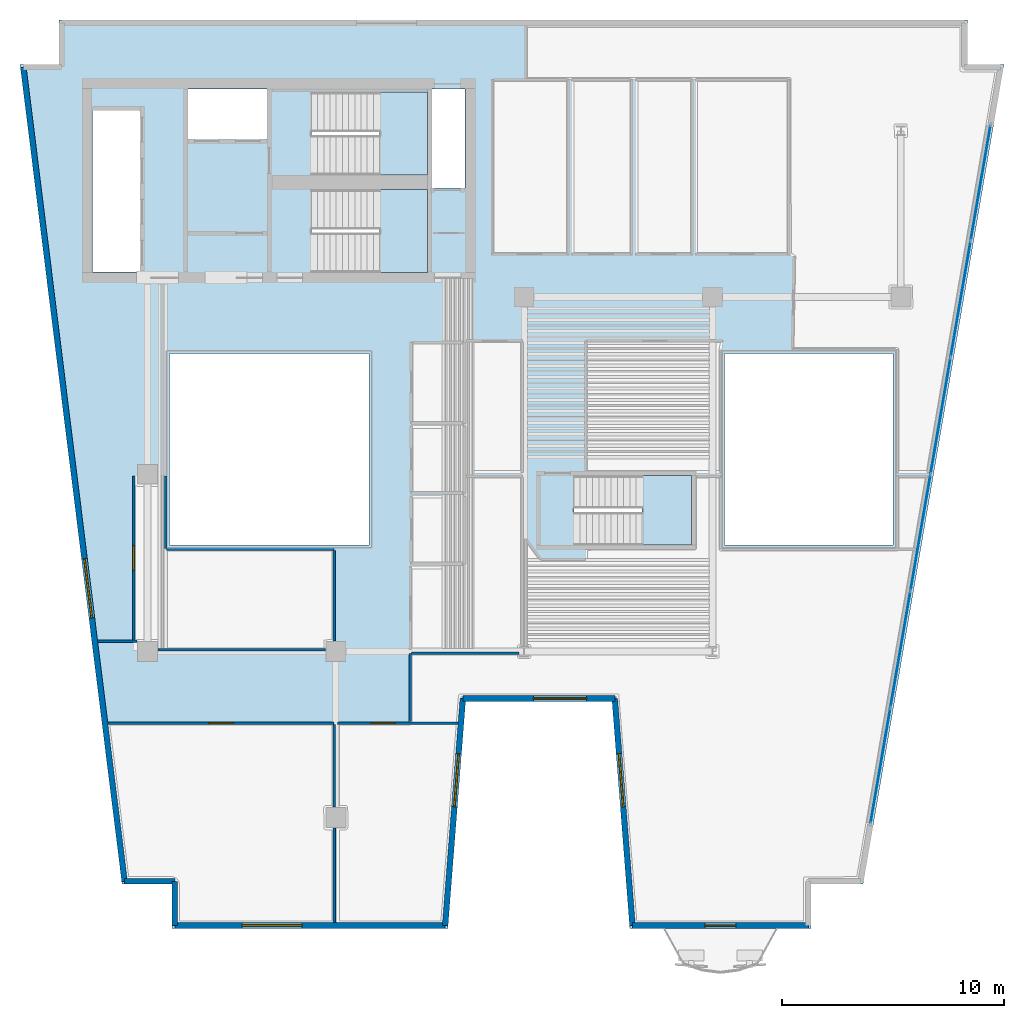
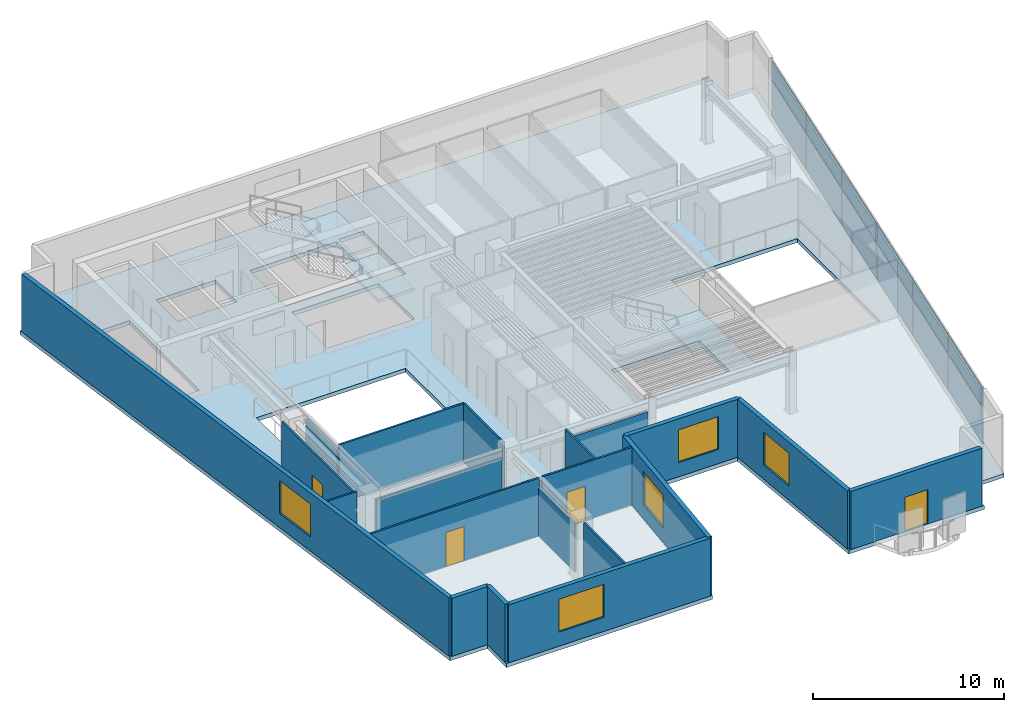
# One storey, part 3 of 10: 20 walls, 12 plates, 5 windows, 4 doors, 4 slabs, 9 openings, 4 elements without a shape of their own.
"""IFC4 building model written with IfcOpenShell, lengths in metres."""

import ifcopenshell
import ifcopenshell.guid

model = None  # the IFC model being written
_history = None  # IfcOwnerHistory: only IFC2X3 demands one
_inside = {}  # id of a spatial element -> (the spatial element, [elements in it])
_under = {}  # id of a project, library or spatial element -> (it, [spatial elements below it])
_declared = {}  # id of a project -> (the project, [libraries it declares])
_typed = {}  # id of a type object -> (the type object, [elements of that type])
_made_of = {}  # id of a material, layer set ... -> (it, [elements and type objects made of it])


def new_model(schema):
    """Start an empty IFC model of exactly this schema.

    Asked for "IFC4X3", IfcOpenShell would pick the latest addendum, in which some entities
    have other attributes; the version numbers below select the first issue.
    IFC2X3 requires an IfcOwnerHistory on every rooted entity: one is made here for all.
    """
    global model, _history
    if schema == "IFC4X3":
        model = ifcopenshell.file(schema_version=(4, 3, 0, 0))
    else:
        model = ifcopenshell.file(schema=schema)
    _inside.clear()
    _under.clear()
    _declared.clear()
    _typed.clear()
    _made_of.clear()
    _history = None
    if model.schema == "IFC2X3":
        org = make("IfcOrganization", Name="unknown")
        user = make(
            "IfcPersonAndOrganization",
            ThePerson=make("IfcPerson", FamilyName="unknown"),
            TheOrganization=org,
        )
        app = make(
            "IfcApplication",
            ApplicationDeveloper=org,
            Version="unknown",
            ApplicationFullName="unknown",
            ApplicationIdentifier="unknown",
        )
        _history = make(
            "IfcOwnerHistory",
            OwningUser=user,
            OwningApplication=app,
            ChangeAction="ADDED",
            CreationDate=0,
        )
    return model


def make(cls, **values):
    """One entity of the class cls with the attributes given. An attribute that is None is left unset."""
    return model.create_entity(
        cls, **{name: value for name, value in values.items() if value is not None}
    )


def rooted(cls, **values):
    """An entity with a GlobalId (a new one), such as an element, a storey or a relation."""
    return make(cls, GlobalId=ifcopenshell.guid.new(), OwnerHistory=_history, **values)


def si_unit(unit_type, name, prefix=None):
    """IfcSIUnit, for example si_unit("LENGTHUNIT", "METRE", prefix="MILLI")."""
    return make("IfcSIUnit", UnitType=unit_type, Prefix=prefix, Name=name)


def assignment(units):
    """IfcUnitAssignment: the units of a project."""
    return None if units is None else make("IfcUnitAssignment", Units=units)


def point(xyz):
    """IfcCartesianPoint."""
    return None if xyz is None else make("IfcCartesianPoint", Coordinates=xyz)


def direction(xyz):
    """IfcDirection."""
    return None if xyz is None else make("IfcDirection", DirectionRatios=xyz)


def frame(location, z_axis=None, x_axis=None):
    """IfcAxis2Placement3D, a coordinate frame: its origin and axes. An axis left out is left unset."""
    return make(
        "IfcAxis2Placement3D",
        Location=point(location),
        Axis=direction(z_axis),
        RefDirection=direction(x_axis),
    )


def frame_2d(location, x_axis=None):
    """IfcAxis2Placement2D, a coordinate frame in the plane: its origin and x axis."""
    return make(
        "IfcAxis2Placement2D", Location=point(location), RefDirection=direction(x_axis)
    )


def origin():
    """The frame at (0, 0, 0) with its axes left unset."""
    return frame((0.0, 0.0, 0.0))


def origin_2d():
    """The frame at (0, 0) in the plane with its x axis left unset."""
    return frame_2d((0.0, 0.0))


def place(relative_to, where):
    """IfcLocalPlacement: puts the frame where relative to a parent placement (None: the world)."""
    return make(
        "IfcLocalPlacement", PlacementRelTo=relative_to, RelativePlacement=where
    )


def context(
    kind, dimensions, precision=None, world=None, true_north=None, identifier=None
):
    """IfcGeometricRepresentationContext, for example the 3D "Model" context."""
    return make(
        "IfcGeometricRepresentationContext",
        ContextIdentifier=identifier,
        ContextType=kind,
        CoordinateSpaceDimension=dimensions,
        Precision=precision,
        WorldCoordinateSystem=world,
        TrueNorth=true_north,
    )


def subcontext(parent, identifier, kind, view, scale=None):
    """IfcGeometricRepresentationSubContext, for example "Body" below "Model"."""
    return make(
        "IfcGeometricRepresentationSubContext",
        ContextIdentifier=identifier,
        ContextType=kind,
        ParentContext=parent,
        TargetScale=scale,
        TargetView=view,
    )


def project(units=None, contexts=None):
    """IfcProject with its units and contexts."""
    return rooted(
        "IfcProject",
        Name="project",
        RepresentationContexts=contexts,
        UnitsInContext=assignment(units),
    )


def spatial(cls, under=None, at=None, **own):
    """A site, building, storey or space (cls), placed at a placement, below another one or the project."""
    s = rooted(cls, ObjectPlacement=at, **own)
    if under is not None:
        _under.setdefault(under.id(), (under, []))[1].append(s)
    return s


def polyline(points):
    """IfcPolyline through the points."""
    return make("IfcPolyline", Points=[point(p) for p in points])


def profile(cls, at=None, kind="AREA", **sizes):
    """A parametric profile (cls). Its sizes go by their IFC names, for example OverallWidth=200.0."""
    return make(cls, ProfileType=kind, Position=at, **sizes)


def rectangle(**sizes):
    """IfcRectangleProfileDef."""
    return profile("IfcRectangleProfileDef", **sizes)


def outline(outer, holes=None, kind="AREA"):
    """IfcArbitraryClosedProfileDef: a profile drawn as a closed curve; with holes, ...WithVoids."""
    if holes is None:
        return make("IfcArbitraryClosedProfileDef", ProfileType=kind, OuterCurve=outer)
    return make(
        "IfcArbitraryProfileDefWithVoids",
        ProfileType=kind,
        OuterCurve=outer,
        InnerCurves=holes,
    )


def extrude(swept, where, along, depth):
    """IfcExtrudedAreaSolid: the profile swept, set in the frame where, extruded along a direction by depth."""
    return make(
        "IfcExtrudedAreaSolid",
        SweptArea=swept,
        Position=where,
        ExtrudedDirection=direction(along),
        Depth=depth,
    )


def shape(context_of_items, identifier, shape_type, items):
    """IfcShapeRepresentation: the items that make up one representation, for example the "Body"."""
    return make(
        "IfcShapeRepresentation",
        ContextOfItems=context_of_items,
        RepresentationIdentifier=identifier,
        RepresentationType=shape_type,
        Items=items,
    )


def material(Name=None, Category=None):
    """IfcMaterial."""
    return make("IfcMaterial", Name=Name, Category=Category)


def layer(
    of_material, thickness, ventilated=None, Name=None, Category=None, Priority=None
):
    """IfcMaterialLayer: one layer of a wall or slab, of a material (None: an air gap)."""
    return make(
        "IfcMaterialLayer",
        Material=of_material,
        LayerThickness=thickness,
        IsVentilated=ventilated,
        Name=Name,
        Category=Category,
        Priority=Priority,
    )


def layer_set(layers, Name=None):
    """IfcMaterialLayerSet."""
    return make("IfcMaterialLayerSet", MaterialLayers=layers, LayerSetName=Name)


def made_of(thing, what):
    """Note that an element or type object is made of a material, layer set ...; save() writes the relation."""
    if what is not None:
        _made_of.setdefault(what.id(), (what, []))[1].append(thing)
    return thing


def type_object(cls, material=None, **own):
    """A type object (cls), such as IfcWallType, which elements share."""
    return made_of(rooted(cls, **own), material)


def element(
    cls,
    number,
    at=None,
    inside=None,
    cuts=None,
    type_object=None,
    material=None,
    context=None,
    identifier="Body",
    shape_type=None,
    held_by="IfcProductDefinitionShape",
    body=None,
    shapes=None,
    **own,
):
    """One element of the class cls, such as IfcWall. Its Tag is "e" and its number.

    at: its placement. inside: the storey or other place that contains it. cuts: it is an
    opening in that element (IfcRelVoidsElement). A single representation is given by context,
    identifier, shape_type and body (its items); several are given by shapes. held_by: the class
    of the entity that holds the representations. save() writes the other relations.
    """
    e = rooted(cls, Tag="e%d" % number, ObjectPlacement=at, **own)
    if body is not None:
        shapes = [shape(context, identifier, shape_type, body)]
    if shapes is not None:
        e.Representation = make(held_by, Representations=shapes)
    if inside is not None:
        _inside.setdefault(inside.id(), (inside, []))[1].append(e)
    if cuts is not None:
        rooted(
            "IfcRelVoidsElement", RelatingBuildingElement=cuts, RelatedOpeningElement=e
        )
    if type_object is not None:
        _typed.setdefault(type_object.id(), (type_object, []))[1].append(e)
    return made_of(e, material)


def fill(opening, filler):
    """IfcRelFillsElement: the door or window that sits in an opening."""
    return rooted(
        "IfcRelFillsElement",
        RelatingOpeningElement=opening,
        RelatedBuildingElement=filler,
    )


def aggregate(whole, parts):
    """IfcRelAggregates: a whole, such as a stair, and the parts it consists of."""
    return rooted("IfcRelAggregates", RelatingObject=whole, RelatedObjects=parts)


def save(model, path):
    """Write the relations noted so far, then the file.

    IfcRelAggregates (storeys below a building ...), IfcRelContainedInSpatialStructure (elements
    in a storey), IfcRelDefinesByType, IfcRelAssociatesMaterial and IfcRelDeclares: one each for
    every whole, place, type object, material and project.
    """
    for whole, parts in _under.values():
        aggregate(whole, parts)
    for where, things in _inside.values():
        rooted(
            "IfcRelContainedInSpatialStructure",
            RelatedElements=things,
            RelatingStructure=where,
        )
    for kind, things in _typed.values():
        rooted("IfcRelDefinesByType", RelatedObjects=things, RelatingType=kind)
    for what, things in _made_of.values():
        rooted("IfcRelAssociatesMaterial", RelatedObjects=things, RelatingMaterial=what)
    for by, libraries in _declared.values():
        rooted("IfcRelDeclares", RelatingContext=by, RelatedDefinitions=libraries)
    model.write(path)


model = new_model("IFC4")

# Units and contexts
model_context = context("Model", 3, precision=1e-05, world=origin(), true_north=direction((0.0, 1.0)))
body_context = subcontext(model_context, "Body", "Model", "MODEL_VIEW")
ifc_project = project(units=[si_unit("LENGTHUNIT", "METRE"), si_unit("AREAUNIT", "SQUARE_METRE"), si_unit("VOLUMEUNIT", "CUBIC_METRE"), si_unit("PLANEANGLEUNIT", "RADIAN"), si_unit("MASSUNIT", "GRAM", prefix="KILO")], contexts=[model_context])

# Site, building, storey
site_placement = place(None, origin())
site = spatial("IfcSite", under=ifc_project, at=site_placement, CompositionType="ELEMENT")
building_placement = place(site_placement, origin())
building = spatial("IfcBuilding", under=site, at=building_placement, Name="Caeloran Harvest Quay", CompositionType="ELEMENT")
storey_placement = place(building_placement, frame((0.0, 0.0, 187.699951171875)))
storey = spatial("IfcBuildingStorey", under=building, at=storey_placement, Name="L44", CompositionType="ELEMENT", Elevation=187.699951171875)

# Curtain wall, plates
ifc_material_1 = material(Name="Aluminium 6063-T6 and Low-E Glazing", Category="aluminium")
ifc_layer_1 = layer(ifc_material_1, 0.2099609375, Name="Aluminium 6063-T6 and Low-E Glazing")
ifc_layer_set_1 = layer_set([ifc_layer_1], Name="Aluminium 6063-T6 and Low-E Glazing")
curtain_wall_type = type_object("IfcCurtainWallType", Name="CW-SYS-CW-4", PredefinedType="USERDEFINED", material=ifc_layer_set_1)
curtain_wall_placement = place(storey_placement, origin())
curtain_wall = element("IfcCurtainWall", 1, at=curtain_wall_placement, inside=storey, type_object=curtain_wall_type, Name="L44 Unitised Curtain Wall CW-4 Run 9", ObjectType="CURTAIN_WALL", PredefinedType="USERDEFINED")
ifc_material_2 = material(Name="Low-E Double Glazed Vision Glass Unit", Category="glass")
ifc_layer_2 = layer(ifc_material_2, 0.035888671875, Name="Low-E Double Glazed Vision Glass Unit")
ifc_layer_set_2 = layer_set([ifc_layer_2], Name="Low-E Double Glazed Vision Glass Unit")
plate_type = type_object("IfcPlateType", Name="CW-VISION-PANEL", PredefinedType="CURTAIN_PANEL", material=ifc_layer_set_2)
plate_1_placement = place(storey_placement, frame((46.105224609375, 36.1533203125, 0.080078125), z_axis=(0.0, 0.0, 1.0), x_axis=(-0.169392351048, -0.985548695604, 0.0)))
plate_1 = element("IfcPlate", 2, at=plate_1_placement, type_object=plate_type, Name="CW-4 panel 1.1", PredefinedType="CURTAIN_PANEL", context=body_context, shape_type="SweptSolid", body=[
    extrude(rectangle(XDim=5.2265625, YDim=0.035888671875, at=origin_2d()), origin(), (0.0, 0.0, 1.0), 2.280029296875),
])
plate_2_placement = place(storey_placement, frame((46.105224609375, 36.1533203125, 2.43994140625), z_axis=(0.0, 0.0, 1.0), x_axis=(-0.169392351048, -0.985548695604, 0.0)))
plate_2 = element("IfcPlate", 3, at=plate_2_placement, type_object=plate_type, Name="CW-4 panel 1.2", PredefinedType="CURTAIN_PANEL", context=body_context, shape_type="SweptSolid", body=[
    extrude(rectangle(XDim=5.2265625, YDim=0.035888671875, at=origin_2d()), origin(), (0.0, 0.0, 1.0), 1.179931640625),
])
plate_3_placement = place(storey_placement, frame((45.203125, 30.90380859375, 0.080078125), z_axis=(0.0, 0.0, 1.0), x_axis=(-0.169392351048, -0.985548695604, 0.0)))
plate_3 = element("IfcPlate", 4, at=plate_3_placement, type_object=plate_type, Name="CW-4 panel 2.1", PredefinedType="CURTAIN_PANEL", context=body_context, shape_type="SweptSolid", body=[
    extrude(rectangle(XDim=5.266357421875, YDim=0.035888671875, at=origin_2d()), origin(), (0.0, 0.0, 1.0), 2.280029296875),
])
plate_4_placement = place(storey_placement, frame((45.203125, 30.90380859375, 2.43994140625), z_axis=(0.0, 0.0, 1.0), x_axis=(-0.169392351048, -0.985548695604, 0.0)))
plate_4 = element("IfcPlate", 5, at=plate_4_placement, type_object=plate_type, Name="CW-4 panel 2.2", PredefinedType="CURTAIN_PANEL", context=body_context, shape_type="SweptSolid", body=[
    extrude(rectangle(XDim=5.266357421875, YDim=0.035888671875, at=origin_2d()), origin(), (0.0, 0.0, 1.0), 1.179931640625),
])
plate_5_placement = place(storey_placement, frame((44.29736328125, 25.634521484375, 0.080078125), z_axis=(0.0, 0.0, 1.0), x_axis=(-0.169392351048, -0.985548695604, 0.0)))
plate_5 = element("IfcPlate", 6, at=plate_5_placement, type_object=plate_type, Name="CW-4 panel 3.1", PredefinedType="CURTAIN_PANEL", context=body_context, shape_type="SweptSolid", body=[
    extrude(rectangle(XDim=5.266357421875, YDim=0.035888671875, at=origin_2d()), origin(), (0.0, 0.0, 1.0), 2.280029296875),
])
plate_6_placement = place(storey_placement, frame((44.29736328125, 25.634521484375, 2.43994140625), z_axis=(0.0, 0.0, 1.0), x_axis=(-0.169392351048, -0.985548695604, 0.0)))
plate_6 = element("IfcPlate", 7, at=plate_6_placement, type_object=plate_type, Name="CW-4 panel 3.2", PredefinedType="CURTAIN_PANEL", context=body_context, shape_type="SweptSolid", body=[
    extrude(rectangle(XDim=5.266357421875, YDim=0.035888671875, at=origin_2d()), origin(), (0.0, 0.0, 1.0), 1.179931640625),
])
plate_7_placement = place(storey_placement, frame((43.391845703125, 20.365478515625, 0.080078125), z_axis=(0.0, 0.0, 1.0), x_axis=(-0.169392351048, -0.985548695604, 0.0)))
plate_7 = element("IfcPlate", 8, at=plate_7_placement, type_object=plate_type, Name="CW-4 panel 4.1", PredefinedType="CURTAIN_PANEL", context=body_context, shape_type="SweptSolid", body=[
    extrude(rectangle(XDim=5.266357421875, YDim=0.035888671875, at=origin_2d()), origin(), (0.0, 0.0, 1.0), 2.280029296875),
])
plate_8_placement = place(storey_placement, frame((43.391845703125, 20.365478515625, 2.43994140625), z_axis=(0.0, 0.0, 1.0), x_axis=(-0.169392351048, -0.985548695604, 0.0)))
plate_8 = element("IfcPlate", 9, at=plate_8_placement, type_object=plate_type, Name="CW-4 panel 4.2", PredefinedType="CURTAIN_PANEL", context=body_context, shape_type="SweptSolid", body=[
    extrude(rectangle(XDim=5.266357421875, YDim=0.035888671875, at=origin_2d()), origin(), (0.0, 0.0, 1.0), 1.179931640625),
])
plate_9_placement = place(storey_placement, frame((42.486083984375, 15.09619140625, 0.080078125), z_axis=(0.0, 0.0, 1.0), x_axis=(-0.169392351048, -0.985548695604, 0.0)))
plate_9 = element("IfcPlate", 10, at=plate_9_placement, type_object=plate_type, Name="CW-4 panel 5.1", PredefinedType="CURTAIN_PANEL", context=body_context, shape_type="SweptSolid", body=[
    extrude(rectangle(XDim=5.266357421875, YDim=0.035888671875, at=origin_2d()), origin(), (0.0, 0.0, 1.0), 2.280029296875),
])
plate_10_placement = place(storey_placement, frame((42.486083984375, 15.09619140625, 2.43994140625), z_axis=(0.0, 0.0, 1.0), x_axis=(-0.169392351048, -0.985548695604, 0.0)))
plate_10 = element("IfcPlate", 11, at=plate_10_placement, type_object=plate_type, Name="CW-4 panel 5.2", PredefinedType="CURTAIN_PANEL", context=body_context, shape_type="SweptSolid", body=[
    extrude(rectangle(XDim=5.266357421875, YDim=0.035888671875, at=origin_2d()), origin(), (0.0, 0.0, 1.0), 1.179931640625),
])
plate_11_placement = place(storey_placement, frame((41.583740234375, 9.8466796875, 0.080078125), z_axis=(0.0, 0.0, 1.0), x_axis=(-0.169392351048, -0.985548695604, 0.0)))
plate_11 = element("IfcPlate", 12, at=plate_11_placement, type_object=plate_type, Name="CW-4 panel 6.1", PredefinedType="CURTAIN_PANEL", context=body_context, shape_type="SweptSolid", body=[
    extrude(rectangle(XDim=5.2265625, YDim=0.035888671875, at=origin_2d()), origin(), (0.0, 0.0, 1.0), 2.280029296875),
])
plate_12_placement = place(storey_placement, frame((41.583740234375, 9.8466796875, 2.43994140625), z_axis=(0.0, 0.0, 1.0), x_axis=(-0.169392351048, -0.985548695604, 0.0)))
plate_12 = element("IfcPlate", 13, at=plate_12_placement, type_object=plate_type, Name="CW-4 panel 6.2", PredefinedType="CURTAIN_PANEL", context=body_context, shape_type="SweptSolid", body=[
    extrude(rectangle(XDim=5.2265625, YDim=0.035888671875, at=origin_2d()), origin(), (0.0, 0.0, 1.0), 1.179931640625),
])
aggregate(curtain_wall, [plate_1, plate_2, plate_3, plate_4, plate_5, plate_6, plate_7, plate_8, plate_9, plate_10, plate_11, plate_12])

# Slab
ifc_material_3 = material(Name="Concrete C50/60", Category="concrete")
ifc_layer_3 = layer(ifc_material_3, 0.25, Name="Concrete C50/60")
ifc_layer_set_3 = layer_set([ifc_layer_3], Name="Concrete C50/60")
slab_type_1 = type_object("IfcSlabType", Name="SLAB-FS-250", PredefinedType="FLOOR", material=ifc_layer_set_3)
slab_1_placement = place(storey_placement, frame((0.0, 0.0, -0.25)))
element("IfcSlab", 14, at=slab_1_placement, inside=storey, type_object=slab_type_1, Name="L44 Structural Floor Slab", PredefinedType="FLOOR", context=body_context, shape_type="SweptSolid", body=[
    extrude(outline(polyline([(9.60302734375, 2.5), (22.056884765625, 2.5), (22.85693359375, 12.75), (29.469482421875, 12.75), (30.26953125, 2.5), (38.452880859375, 2.5), (38.452880859375, 4.5), (40.796875, 4.5), (47.15625, 41.5), (45.5, 41.5), (45.5, 43.5), (4.5, 43.5), (4.5, 41.5), (2.748779296875, 41.5), (7.35400390625, 4.5), (9.60302734375, 4.5), (9.60302734375, 2.5)]), holes=[polyline([(27.75, 19.800048828125), (27.75, 22.949951171875), (33.050048828125, 22.949951171875), (33.050048828125, 19.800048828125), (27.75, 19.800048828125)]), polyline([(18.5, 19.800048828125), (9.5, 19.800048828125), (9.5, 28.449951171875), (18.5, 28.449951171875), (18.5, 19.800048828125)]), polyline([(42.14990234375, 19.800048828125), (34.550048828125, 19.800048828125), (34.550048828125, 28.449951171875), (42.14990234375, 28.449951171875), (42.14990234375, 19.800048828125)]), polyline([(15.89990234375, 32.10009765625), (15.89990234375, 35.85009765625), (21.14990234375, 35.85009765625), (21.14990234375, 32.10009765625), (15.89990234375, 32.10009765625)]), polyline([(8.159912109375, 32.1201171875), (6.02001953125, 32.1201171875), (6.02001953125, 39.419921875), (8.159912109375, 39.419921875), (8.159912109375, 32.1201171875)]), polyline([(22.830078125, 35.919921875), (21.35009765625, 35.919921875), (21.35009765625, 40.3798828125), (22.830078125, 40.3798828125), (22.830078125, 35.919921875)]), polyline([(15.89990234375, 36.5), (15.89990234375, 40.25), (21.14990234375, 40.25), (21.14990234375, 36.5), (15.89990234375, 36.5)]), polyline([(13.89990234375, 38.1201171875), (10.320068359375, 38.1201171875), (10.320068359375, 40.3798828125), (13.89990234375, 40.3798828125), (13.89990234375, 38.1201171875)])]), origin(), (0.0, 0.0, 1.0), 0.25),
])

# Stair, slab
stair_type_1 = type_object("IfcStairType", Name="STAIR-STC-180", PredefinedType="HALF_TURN_STAIR", material=ifc_material_3)
stair_1_placement = place(storey_placement, origin())
stair_1 = element("IfcStair", 15, at=stair_1_placement, inside=storey, type_object=stair_type_1, Name="L44 Core Pressurized Exit Stair ST-C1", PredefinedType="HALF_TURN_STAIR")
ifc_layer_4 = layer(ifc_material_3, 0.219970703125, Name="Concrete C50/60")
ifc_layer_set_4 = layer_set([ifc_layer_4], Name="Concrete C50/60")
slab_type_2 = type_object("IfcSlabType", Name="STAIR-LANDING-220", PredefinedType="LANDING", material=ifc_layer_set_4)
slab_2_placement = place(storey_placement, frame((0.0, 0.0, 1.775146484375)))
slab_2 = element("IfcSlab", 16, at=slab_2_placement, type_object=slab_type_2, Name="ST-C1 landing 1", PredefinedType="LANDING", context=body_context, shape_type="SweptSolid", body=[
    extrude(outline(polyline([(18.97998046875, 36.5), (21.14990234375, 36.5), (21.14990234375, 40.25), (18.97998046875, 40.25), (18.97998046875, 36.5)])), origin(), (0.0, 0.0, 1.0), 0.199951171875),
])
aggregate(stair_1, [slab_2])

stair_2_placement = place(storey_placement, origin())
stair_2 = element("IfcStair", 17, at=stair_2_placement, inside=storey, type_object=stair_type_1, Name="L44 Core Pressurized Exit Stair ST-C2", PredefinedType="HALF_TURN_STAIR")
slab_3_placement = place(storey_placement, frame((0.0, 0.0, 1.775146484375)))
slab_3 = element("IfcSlab", 18, at=slab_3_placement, type_object=slab_type_2, Name="ST-C2 landing 1", PredefinedType="LANDING", context=body_context, shape_type="SweptSolid", body=[
    extrude(outline(polyline([(18.97998046875, 32.10009765625), (21.14990234375, 32.10009765625), (21.14990234375, 35.85009765625), (18.97998046875, 35.85009765625), (18.97998046875, 32.10009765625)])), origin(), (0.0, 0.0, 1.0), 0.199951171875),
])
aggregate(stair_2, [slab_3])

stair_type_2 = type_object("IfcStairType", Name="STAIR-STW-150", PredefinedType="HALF_TURN_STAIR", material=ifc_material_3)
stair_3_placement = place(storey_placement, origin())
stair_3 = element("IfcStair", 19, at=stair_3_placement, inside=storey, type_object=stair_type_2, Name="L44 East Wing Protected Exit Stair ST-W1", PredefinedType="HALF_TURN_STAIR")
slab_4_placement = place(storey_placement, frame((0.0, 0.0, 1.775146484375)))
slab_4 = element("IfcSlab", 20, at=slab_4_placement, type_object=slab_type_2, Name="ST-W1 landing 1", PredefinedType="LANDING", context=body_context, shape_type="SweptSolid", body=[
    extrude(outline(polyline([(30.830078125, 19.800048828125), (33.050048828125, 19.800048828125), (33.050048828125, 22.949951171875), (30.830078125, 22.949951171875), (30.830078125, 19.800048828125)])), origin(), (0.0, 0.0, 1.0), 0.199951171875),
])
aggregate(stair_3, [slab_4])

# Walls
ifc_material_4 = material(Name="Precast concrete C50/60", Category="concrete")
ifc_layer_5 = layer(ifc_material_4, 0.260009765625, Name="Precast concrete C50/60")
ifc_layer_set_5 = layer_set([ifc_layer_5], Name="Precast concrete C50/60")
wall_type_1 = type_object("IfcWallType", Name="ENV-WALL-EW-260", PredefinedType="STANDARD", material=ifc_layer_set_5)
wall_1_placement = place(storey_placement, frame((9.73291015625, 2.6298828125, 0.0), z_axis=(0.0, 0.0, 1.0), x_axis=(0.0, 1.0, 0.0)))
element("IfcWall", 21, at=wall_1_placement, inside=storey, type_object=wall_type_1, Name="L44 Exterior Precast Concrete Facade Wall 1", PredefinedType="STANDARD", context=body_context, shape_type="SweptSolid", body=[
    extrude(rectangle(XDim=2.0, YDim=0.260009765625, at=frame_2d((1.0, 0.0))), origin(), (0.0, 0.0, 1.0), 3.699951171875),
])
wall_2_placement = place(storey_placement, frame((9.73291015625, 4.6298828125, 0.0), z_axis=(0.0, 0.0, 1.0), x_axis=(-1.0, 0.0, 0.0)))
element("IfcWall", 22, at=wall_2_placement, inside=storey, type_object=wall_type_1, Name="L44 Exterior Precast Concrete Facade Wall 2", PredefinedType="STANDARD", context=body_context, shape_type="SweptSolid", body=[
    extrude(rectangle(XDim=2.263916015625, YDim=0.260009765625, at=frame_2d((1.1318359375, 0.0))), origin(), (0.0, 0.0, 1.0), 3.699951171875),
])

# Wall, opening, window
wall_3_placement = place(storey_placement, frame((7.468994140625, 4.6298828125, 0.0), z_axis=(0.0, 0.0, 1.0), x_axis=(-0.123515300309, 0.992342667928, 0.0)))
wall_3 = element("IfcWall", 23, at=wall_3_placement, inside=storey, type_object=wall_type_1, Name="L44 Exterior Precast Concrete Facade Wall 3", PredefinedType="STANDARD", context=body_context, shape_type="SweptSolid", body=[
    extrude(rectangle(XDim=37.023681640625, YDim=0.260009765625, at=frame_2d((18.51171875, 0.0))), origin(), (0.0, 0.0, 1.0), 3.699951171875),
])
opening_1_placement = place(wall_3_placement, frame((11.97802734375, 0.0, 0.89990234375)))
opening_1 = element("IfcOpeningElement", 24, at=opening_1_placement, cuts=wall_3, Name="Opening W-07", PredefinedType="OPENING", context=body_context, shape_type="SweptSolid", body=[
    extrude(rectangle(XDim=2.699951171875, YDim=2.10009765625, at=frame_2d((1.35009765625, 1.050048828125))), frame((0.0, 0.14013671875, 0.0), z_axis=(0.0, -1.0, 0.0), x_axis=(1.0, 0.0, 0.0)), (0.0, 0.0, 1.0), 0.280029296875),
])
ifc_material_5 = material(Name="Aluminium-Framed Low-E Laminated Glass", Category="aluminium")
window_type_1 = type_object("IfcWindowType", Name="WIN-W-07", PartitioningType="DOUBLE_PANEL_VERTICAL", PredefinedType="WINDOW", material=ifc_material_5)
window_1_placement = place(opening_1_placement, origin())
window_1 = element("IfcWindow", 25, at=window_1_placement, inside=storey, type_object=window_type_1, Name="L44 Facade Punched Window W-07", OverallHeight=2.10009765625, OverallWidth=2.699951171875, PartitioningType="DOUBLE_PANEL_VERTICAL", PredefinedType="WINDOW", context=body_context, shape_type="SweptSolid", body=[
    extrude(rectangle(XDim=2.699951171875, YDim=2.10009765625, at=frame_2d((1.35009765625, 1.050048828125))), frame((0.0, 0.030029296875, 0.0), z_axis=(0.0, -1.0, 0.0), x_axis=(1.0, 0.0, 0.0)), (0.0, 0.0, 1.0), 0.06005859375),
])
fill(opening_1, window_1)

# Wall, opening, door
wall_4_placement = place(storey_placement, frame((38.322998046875, 2.6298828125, 0.0), z_axis=(0.0, 0.0, 1.0), x_axis=(-1.0, 0.0, 0.0)))
wall_4 = element("IfcWall", 26, at=wall_4_placement, inside=storey, type_object=wall_type_1, Name="L44 Exterior Precast Concrete Facade Wall 12", PredefinedType="STANDARD", context=body_context, shape_type="SweptSolid", body=[
    extrude(rectangle(XDim=7.933349609375, YDim=0.260009765625, at=frame_2d((3.966796875, 0.0))), origin(), (0.0, 0.0, 1.0), 3.699951171875),
])
opening_2_placement = place(wall_4_placement, frame((3.26611328125, 0.0, 0.0)))
opening_2 = element("IfcOpeningElement", 27, at=opening_2_placement, cuts=wall_4, Name="Opening BD-02", PredefinedType="OPENING", context=body_context, shape_type="SweptSolid", body=[
    extrude(rectangle(XDim=1.39990234375, YDim=2.199951171875, at=frame_2d((0.699951171875, 1.10009765625))), frame((0.0, 0.14013671875, 0.0), z_axis=(0.0, -1.0, 0.0), x_axis=(1.0, 0.0, 0.0)), (0.0, 0.0, 1.0), 0.280029296875),
])
ifc_material_6 = material(Name="Thermally Broken Powder-Coated Aluminium and Safety Glass", Category="aluminium")
door_type_1 = type_object("IfcDoorType", Name="EXTDOOR-BD-02", OperationType="NOTDEFINED", PredefinedType="DOOR", material=ifc_material_6)
door_1_placement = place(opening_2_placement, origin())
door_1 = element("IfcDoor", 28, at=door_1_placement, inside=storey, type_object=door_type_1, Name="L44 Planted Balcony Glazed Access Door", OperationType="SINGLE_SWING_LEFT", OverallHeight=2.199951171875, OverallWidth=1.39990234375, PredefinedType="DOOR", context=body_context, shape_type="SweptSolid", body=[
    extrude(rectangle(XDim=1.39990234375, YDim=2.199951171875, at=frame_2d((0.699951171875, 1.10009765625))), frame((0.0, 0.02490234375, 0.0), z_axis=(0.0, -1.0, 0.0), x_axis=(1.0, 0.0, 0.0)), (0.0, 0.0, 1.0), 0.050048828125),
])
fill(opening_2, door_1)

# Wall, opening, window
wall_5_placement = place(storey_placement, frame((30.3896484375, 2.6298828125, 0.0), z_axis=(0.0, 0.0, 1.0), x_axis=(-0.077816860153, 0.996967670627, 0.0)))
wall_5 = element("IfcWall", 29, at=wall_5_placement, inside=storey, type_object=wall_type_1, Name="L44 Exterior Precast Concrete Facade Wall 13", PredefinedType="STANDARD", context=body_context, shape_type="SweptSolid", body=[
    extrude(rectangle(XDim=10.28125, YDim=0.260009765625, at=frame_2d((5.140625, 0.0))), origin(), (0.0, 0.0, 1.0), 3.699951171875),
])
opening_3_placement = place(wall_5_placement, frame((5.3798828125, 0.0, 0.89990234375)))
opening_3 = element("IfcOpeningElement", 30, at=opening_3_placement, cuts=wall_5, Name="Opening W-02", PredefinedType="OPENING", context=body_context, shape_type="SweptSolid", body=[
    extrude(rectangle(XDim=2.39990234375, YDim=2.10009765625, at=frame_2d((1.199951171875, 1.050048828125))), frame((0.0, 0.14013671875, 0.0), z_axis=(0.0, -1.0, 0.0), x_axis=(1.0, 0.0, 0.0)), (0.0, 0.0, 1.0), 0.280029296875),
])
window_type_2 = type_object("IfcWindowType", Name="WIN-W-02", PartitioningType="DOUBLE_PANEL_VERTICAL", PredefinedType="WINDOW", material=ifc_material_5)
window_2_placement = place(opening_3_placement, origin())
window_2 = element("IfcWindow", 31, at=window_2_placement, inside=storey, type_object=window_type_2, Name="L44 Facade Punched Window W-02", OverallHeight=2.10009765625, OverallWidth=2.39990234375, PartitioningType="DOUBLE_PANEL_VERTICAL", PredefinedType="WINDOW", context=body_context, shape_type="SweptSolid", body=[
    extrude(rectangle(XDim=2.39990234375, YDim=2.10009765625, at=frame_2d((1.199951171875, 1.050048828125))), frame((0.0, 0.030029296875, 0.0), z_axis=(0.0, -1.0, 0.0), x_axis=(1.0, 0.0, 0.0)), (0.0, 0.0, 1.0), 0.06005859375),
])
fill(opening_3, window_2)

wall_6_placement = place(storey_placement, frame((29.589599609375, 12.8798828125, 0.0), z_axis=(0.0, 0.0, 1.0), x_axis=(-1.0, 0.0, 0.0)))
wall_6 = element("IfcWall", 32, at=wall_6_placement, inside=storey, type_object=wall_type_1, Name="L44 Exterior Precast Concrete Facade Wall 14", PredefinedType="STANDARD", context=body_context, shape_type="SweptSolid", body=[
    extrude(rectangle(XDim=6.852783203125, YDim=0.260009765625, at=frame_2d((3.42626953125, 0.0))), origin(), (0.0, 0.0, 1.0), 3.699951171875),
])
opening_4_placement = place(wall_6_placement, frame((1.26708984375, 0.0, 0.89990234375)))
opening_4 = element("IfcOpeningElement", 33, at=opening_4_placement, cuts=wall_6, Name="Opening W-02", PredefinedType="OPENING", context=body_context, shape_type="SweptSolid", body=[
    extrude(rectangle(XDim=2.39990234375, YDim=2.10009765625, at=frame_2d((1.199951171875, 1.050048828125))), frame((0.0, 0.14013671875, 0.0), z_axis=(0.0, -1.0, 0.0), x_axis=(1.0, 0.0, 0.0)), (0.0, 0.0, 1.0), 0.280029296875),
])
window_3_placement = place(opening_4_placement, origin())
window_3 = element("IfcWindow", 34, at=window_3_placement, inside=storey, type_object=window_type_2, Name="L44 Facade Punched Window W-02", OverallHeight=2.10009765625, OverallWidth=2.39990234375, PartitioningType="DOUBLE_PANEL_VERTICAL", PredefinedType="WINDOW", context=body_context, shape_type="SweptSolid", body=[
    extrude(rectangle(XDim=2.39990234375, YDim=2.10009765625, at=frame_2d((1.199951171875, 1.050048828125))), frame((0.0, 0.030029296875, 0.0), z_axis=(0.0, -1.0, 0.0), x_axis=(1.0, 0.0, 0.0)), (0.0, 0.0, 1.0), 0.06005859375),
])
fill(opening_4, window_3)

wall_7_placement = place(storey_placement, frame((22.73681640625, 12.8798828125, 0.0), z_axis=(0.0, 0.0, 1.0), x_axis=(-0.077816860153, -0.996967670627, 0.0)))
wall_7 = element("IfcWall", 35, at=wall_7_placement, inside=storey, type_object=wall_type_1, Name="L44 Exterior Precast Concrete Facade Wall 15", PredefinedType="STANDARD", context=body_context, shape_type="SweptSolid", body=[
    extrude(rectangle(XDim=10.28125, YDim=0.260009765625, at=frame_2d((5.140625, 0.0))), origin(), (0.0, 0.0, 1.0), 3.699951171875),
])
opening_5_placement = place(wall_7_placement, frame((2.5009765625, 0.0, 0.89990234375)))
opening_5 = element("IfcOpeningElement", 36, at=opening_5_placement, cuts=wall_7, Name="Opening W-02", PredefinedType="OPENING", context=body_context, shape_type="SweptSolid", body=[
    extrude(rectangle(XDim=2.39990234375, YDim=2.10009765625, at=frame_2d((1.199951171875, 1.050048828125))), frame((0.0, 0.14013671875, 0.0), z_axis=(0.0, -1.0, 0.0), x_axis=(1.0, 0.0, 0.0)), (0.0, 0.0, 1.0), 0.280029296875),
])
window_4_placement = place(opening_5_placement, origin())
window_4 = element("IfcWindow", 37, at=window_4_placement, inside=storey, type_object=window_type_2, Name="L44 Facade Punched Window W-02", OverallHeight=2.10009765625, OverallWidth=2.39990234375, PartitioningType="DOUBLE_PANEL_VERTICAL", PredefinedType="WINDOW", context=body_context, shape_type="SweptSolid", body=[
    extrude(rectangle(XDim=2.39990234375, YDim=2.10009765625, at=frame_2d((1.199951171875, 1.050048828125))), frame((0.0, 0.030029296875, 0.0), z_axis=(0.0, -1.0, 0.0), x_axis=(1.0, 0.0, 0.0)), (0.0, 0.0, 1.0), 0.06005859375),
])
fill(opening_5, window_4)

wall_8_placement = place(storey_placement, frame((21.936767578125, 2.6298828125, 0.0), z_axis=(0.0, 0.0, 1.0), x_axis=(-1.0, 0.0, 0.0)))
wall_8 = element("IfcWall", 38, at=wall_8_placement, inside=storey, type_object=wall_type_1, Name="L44 Exterior Precast Concrete Facade Wall 16", PredefinedType="STANDARD", context=body_context, shape_type="SweptSolid", body=[
    extrude(rectangle(XDim=12.203857421875, YDim=0.260009765625, at=frame_2d((6.10205078125, 0.0))), origin(), (0.0, 0.0, 1.0), 3.699951171875),
])
opening_6_placement = place(wall_8_placement, frame((6.4599609375, 0.0, 0.89990234375)))
opening_6 = element("IfcOpeningElement", 39, at=opening_6_placement, cuts=wall_8, Name="Opening W-07", PredefinedType="OPENING", context=body_context, shape_type="SweptSolid", body=[
    extrude(rectangle(XDim=2.699951171875, YDim=2.10009765625, at=frame_2d((1.35009765625, 1.050048828125))), frame((0.0, 0.14013671875, 0.0), z_axis=(0.0, -1.0, 0.0), x_axis=(1.0, 0.0, 0.0)), (0.0, 0.0, 1.0), 0.280029296875),
])
window_5_placement = place(opening_6_placement, origin())
window_5 = element("IfcWindow", 40, at=window_5_placement, inside=storey, type_object=window_type_1, Name="L44 Facade Punched Window W-07", OverallHeight=2.10009765625, OverallWidth=2.699951171875, PartitioningType="DOUBLE_PANEL_VERTICAL", PredefinedType="WINDOW", context=body_context, shape_type="SweptSolid", body=[
    extrude(rectangle(XDim=2.699951171875, YDim=2.10009765625, at=frame_2d((1.35009765625, 1.050048828125))), frame((0.0, 0.030029296875, 0.0), z_axis=(0.0, -1.0, 0.0), x_axis=(1.0, 0.0, 0.0)), (0.0, 0.0, 1.0), 0.06005859375),
])
fill(opening_6, window_5)

# Wall, opening, door
ifc_material_7 = material(Name="Single-Stud Acoustic Gypsum Office Partition", Category="gypsum")
ifc_layer_6 = layer(ifc_material_7, 0.112060546875, Name="Single-Stud Acoustic Gypsum Office Partition")
ifc_layer_set_6 = layer_set([ifc_layer_6], Name="Single-Stud Acoustic Gypsum Office Partition")
wall_type_2 = type_object("IfcWallType", Name="INT-WALL-PW-112", PredefinedType="PARTITIONING", material=ifc_layer_set_6)
wall_9_placement = place(storey_placement, frame((6.71630859375, 11.77001953125, 0.0), z_axis=(0.0, 0.0, 1.0), x_axis=(1.0, 0.0, 0.0)))
wall_9 = element("IfcWall", 41, at=wall_9_placement, inside=storey, type_object=wall_type_2, Name="Harbourfront Commercial Counsel Office Partition Wall", PredefinedType="PARTITIONING", context=body_context, shape_type="SweptSolid", body=[
    extrude(rectangle(XDim=10.20361328125, YDim=0.112060546875, at=frame_2d((5.101806640625, 0.0))), origin(), (0.0, 0.0, 1.0), 3.699951171875),
])
opening_7_placement = place(wall_9_placement, frame((4.552001953125, 0.0, 0.0)))
opening_7 = element("IfcOpeningElement", 42, at=opening_7_placement, cuts=wall_9, Name="Opening ID-04", PredefinedType="OPENING", context=body_context, shape_type="SweptSolid", body=[
    extrude(rectangle(XDim=1.10009765625, YDim=2.199951171875, at=frame_2d((0.550048828125, 1.10009765625))), frame((0.0, 0.06591796875, 0.0), z_axis=(0.0, -1.0, 0.0), x_axis=(1.0, 0.0, 0.0)), (0.0, 0.0, 1.0), 0.132080078125),
])
ifc_material_8 = material(Name="Acoustic Walnut Veneer Executive Door", Category="wood")
door_type_2 = type_object("IfcDoorType", Name="INTDOOR-ID-04", OperationType="NOTDEFINED", PredefinedType="DOOR", material=ifc_material_8)
door_2_placement = place(opening_7_placement, origin())
door_2 = element("IfcDoor", 43, at=door_2_placement, inside=storey, type_object=door_type_2, Name="Harbourfront Commercial Counsel Office Access Door", OperationType="SINGLE_SWING_RIGHT", OverallHeight=2.199951171875, OverallWidth=1.10009765625, PredefinedType="DOOR", context=body_context, shape_type="SweptSolid", body=[
    extrude(rectangle(XDim=1.10009765625, YDim=2.199951171875, at=frame_2d((0.550048828125, 1.10009765625))), frame((0.0, 0.02490234375, 0.0), z_axis=(0.0, -1.0, 0.0), x_axis=(1.0, 0.0, 0.0)), (0.0, 0.0, 1.0), 0.050048828125),
])
fill(opening_7, door_2)

# Walls
wall_10_placement = place(storey_placement, frame((16.919921875, 11.708984375, 0.0), z_axis=(0.0, 0.0, 1.0), x_axis=(0.0, -1.0, 0.0)))
element("IfcWall", 44, at=wall_10_placement, inside=storey, type_object=wall_type_2, Name="Harbourfront Commercial Counsel Office Partition Wall", PredefinedType="PARTITIONING", context=body_context, shape_type="SweptSolid", body=[
    extrude(rectangle(XDim=3.73388671875, YDim=0.112060546875, at=frame_2d((1.866943359375, 0.0))), origin(), (0.0, 0.0, 1.0), 3.0849609375),
])
wall_11_placement = place(storey_placement, frame((16.919921875, 7.02490234375, 0.0), z_axis=(0.0, 0.0, 1.0), x_axis=(0.0, -1.0, 0.0)))
element("IfcWall", 45, at=wall_11_placement, inside=storey, type_object=wall_type_2, Name="Harbourfront Commercial Counsel Office Partition Wall", PredefinedType="PARTITIONING", context=body_context, shape_type="SweptSolid", body=[
    extrude(rectangle(XDim=4.260009765625, YDim=0.112060546875, at=frame_2d((2.1298828125, 0.0))), origin(), (0.0, 0.0, 1.0), 3.699951171875),
])

# Wall, opening, door
wall_12_placement = place(storey_placement, frame((17.080078125, 11.77001953125, 0.0), z_axis=(0.0, 0.0, 1.0), x_axis=(1.0, 0.0, 0.0)))
wall_12 = element("IfcWall", 46, at=wall_12_placement, inside=storey, type_object=wall_type_2, Name="Commodities Research Office Partition Wall", PredefinedType="PARTITIONING", context=body_context, shape_type="SweptSolid", body=[
    extrude(rectangle(XDim=5.434814453125, YDim=0.112060546875, at=frame_2d((2.71728515625, 0.0))), origin(), (0.0, 0.0, 1.0), 3.699951171875),
])
opening_8_placement = place(wall_12_placement, frame((1.51220703125, 0.0, 0.0)))
opening_8 = element("IfcOpeningElement", 47, at=opening_8_placement, cuts=wall_12, Name="Opening ID-04", PredefinedType="OPENING", context=body_context, shape_type="SweptSolid", body=[
    extrude(rectangle(XDim=1.10009765625, YDim=2.199951171875, at=frame_2d((0.550048828125, 1.10009765625))), frame((0.0, 0.06591796875, 0.0), z_axis=(0.0, -1.0, 0.0), x_axis=(1.0, 0.0, 0.0)), (0.0, 0.0, 1.0), 0.132080078125),
])
door_3_placement = place(opening_8_placement, origin())
door_3 = element("IfcDoor", 48, at=door_3_placement, inside=storey, type_object=door_type_2, Name="Commodities Research Office Access Door", OperationType="SINGLE_SWING_RIGHT", OverallHeight=2.199951171875, OverallWidth=1.10009765625, PredefinedType="DOOR", context=body_context, shape_type="SweptSolid", body=[
    extrude(rectangle(XDim=1.10009765625, YDim=2.199951171875, at=frame_2d((0.550048828125, 1.10009765625))), frame((0.0, 0.02490234375, 0.0), z_axis=(0.0, -1.0, 0.0), x_axis=(1.0, 0.0, 0.0)), (0.0, 0.0, 1.0), 0.050048828125),
])
fill(opening_8, door_3)

# Walls
wall_13_placement = place(storey_placement, frame((20.35009765625, 11.8310546875, 0.0), z_axis=(0.0, 0.0, 1.0), x_axis=(0.0, 1.0, 0.0)))
element("IfcWall", 49, at=wall_13_placement, inside=storey, type_object=wall_type_2, Name="Commodities Research Office Partition Wall", PredefinedType="PARTITIONING", context=body_context, shape_type="SweptSolid", body=[
    extrude(rectangle(XDim=3.0888671875, YDim=0.112060546875, at=frame_2d((1.54443359375, 0.0))), origin(), (0.0, 0.0, 1.0), 3.699951171875),
])
wall_14_placement = place(storey_placement, frame((20.410888671875, 14.919921875, 0.0), z_axis=(0.0, 0.0, 1.0), x_axis=(1.0, 0.0, 0.0)))
element("IfcWall", 50, at=wall_14_placement, inside=storey, type_object=wall_type_2, Name="Commodities Research Office Partition Wall", PredefinedType="PARTITIONING", context=body_context, shape_type="SweptSolid", body=[
    extrude(rectangle(XDim=4.856201171875, YDim=0.112060546875, at=frame_2d((2.42822265625, 0.0))), origin(), (0.0, 0.0, 1.0), 3.0849609375),
])
wall_15_placement = place(storey_placement, frame((9.35009765625, 19.6201171875, 0.0), z_axis=(0.0, 0.0, 1.0), x_axis=(1.0, 0.0, 0.0)))
element("IfcWall", 51, at=wall_15_placement, inside=storey, type_object=wall_type_2, Name="Maritime Trade Advisory Office Partition Wall", PredefinedType="PARTITIONING", context=body_context, shape_type="SweptSolid", body=[
    extrude(rectangle(XDim=7.56982421875, YDim=0.112060546875, at=frame_2d((3.784912109375, 0.0))), origin(), (0.0, 0.0, 1.0), 3.699951171875),
])
wall_16_placement = place(storey_placement, frame((16.919921875, 19.55908203125, 0.0), z_axis=(0.0, 0.0, 1.0), x_axis=(0.0, -1.0, 0.0)))
element("IfcWall", 52, at=wall_16_placement, inside=storey, type_object=wall_type_2, Name="Maritime Trade Advisory Office Partition Wall", PredefinedType="PARTITIONING", context=body_context, shape_type="SweptSolid", body=[
    extrude(rectangle(XDim=4.083984375, YDim=0.112060546875, at=frame_2d((2.0419921875, 0.0))), origin(), (0.0, 0.0, 1.0), 3.699951171875),
])
wall_17_placement = place(storey_placement, frame((16.52490234375, 15.080078125, 0.0), z_axis=(0.0, 0.0, 1.0), x_axis=(-1.0, 0.0, 0.0)))
element("IfcWall", 53, at=wall_17_placement, inside=storey, type_object=wall_type_2, Name="Maritime Trade Advisory Office Partition Wall", PredefinedType="PARTITIONING", context=body_context, shape_type="SweptSolid", body=[
    extrude(rectangle(XDim=7.5498046875, YDim=0.112060546875, at=frame_2d((3.77490234375, 0.0))), origin(), (0.0, 0.0, 1.0), 3.0849609375),
])
wall_18_placement = place(storey_placement, frame((8.02490234375, 15.465087890625, 0.0), z_axis=(0.0, 0.0, 1.0), x_axis=(-1.0, 0.0, 0.0)))
element("IfcWall", 54, at=wall_18_placement, inside=storey, type_object=wall_type_2, Name="Maritime Trade Advisory Office Partition Wall", PredefinedType="PARTITIONING", context=body_context, shape_type="SweptSolid", body=[
    extrude(rectangle(XDim=1.7685546875, YDim=0.112060546875, at=frame_2d((0.88427734375, 0.0))), origin(), (0.0, 0.0, 1.0), 3.699951171875),
])

# Wall, opening, door
wall_19_placement = place(storey_placement, frame((7.8798828125, 15.52587890625, 0.0), z_axis=(0.0, 0.0, 1.0), x_axis=(0.0, 1.0, 0.0)))
wall_19 = element("IfcWall", 55, at=wall_19_placement, inside=storey, type_object=wall_type_2, Name="Maritime Trade Advisory Office Partition Wall", PredefinedType="PARTITIONING", context=body_context, shape_type="SweptSolid", body=[
    extrude(rectangle(XDim=7.39404296875, YDim=0.112060546875, at=frame_2d((3.697021484375, 0.0))), origin(), (0.0, 0.0, 1.0), 3.699951171875),
])
opening_9_placement = place(wall_19_placement, frame((3.14697265625, 0.0, 0.0)))
opening_9 = element("IfcOpeningElement", 56, at=opening_9_placement, cuts=wall_19, Name="Opening ID-04", PredefinedType="OPENING", context=body_context, shape_type="SweptSolid", body=[
    extrude(rectangle(XDim=1.10009765625, YDim=2.199951171875, at=frame_2d((0.550048828125, 1.10009765625))), frame((0.0, 0.06591796875, 0.0), z_axis=(0.0, -1.0, 0.0), x_axis=(1.0, 0.0, 0.0)), (0.0, 0.0, 1.0), 0.132080078125),
])
door_4_placement = place(opening_9_placement, origin())
door_4 = element("IfcDoor", 57, at=door_4_placement, inside=storey, type_object=door_type_2, Name="Maritime Trade Advisory Office Access Door", OperationType="SINGLE_SWING_LEFT", OverallHeight=2.199951171875, OverallWidth=1.10009765625, PredefinedType="DOOR", context=body_context, shape_type="SweptSolid", body=[
    extrude(rectangle(XDim=1.10009765625, YDim=2.199951171875, at=frame_2d((0.550048828125, 1.10009765625))), frame((0.0, 0.02490234375, 0.0), z_axis=(0.0, -1.0, 0.0), x_axis=(1.0, 0.0, 0.0)), (0.0, 0.0, 1.0), 0.050048828125),
])
fill(opening_9, door_4)

# Wall
wall_20_placement = place(storey_placement, frame((9.320068359375, 22.919921875, 0.0), z_axis=(0.0, 0.0, 1.0), x_axis=(0.0, -1.0, 0.0)))
element("IfcWall", 58, at=wall_20_placement, inside=storey, type_object=wall_type_2, Name="Maritime Trade Advisory Office Partition Wall", PredefinedType="PARTITIONING", context=body_context, shape_type="SweptSolid", body=[
    extrude(rectangle(XDim=3.27001953125, YDim=0.112060546875, at=frame_2d((1.635009765625, 0.0))), origin(), (0.0, 0.0, 1.0), 3.385009765625),
])

save(model, "model.ifc")
